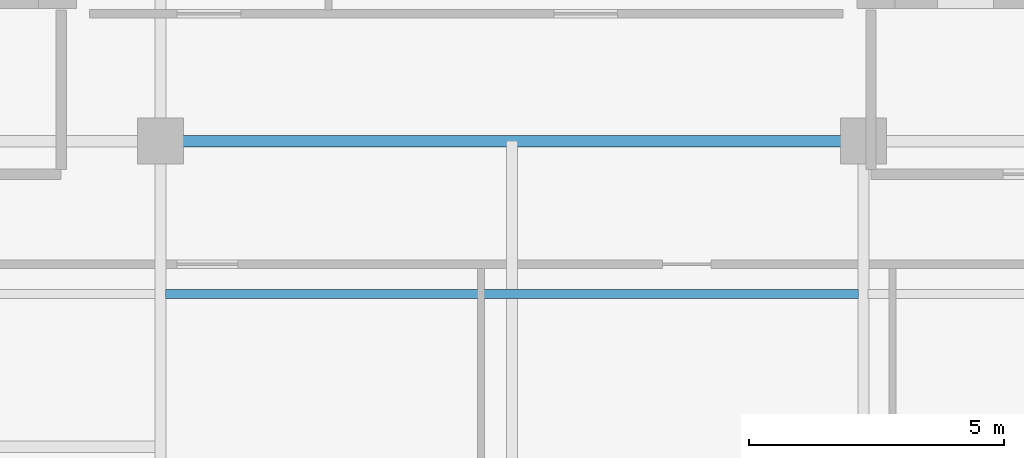
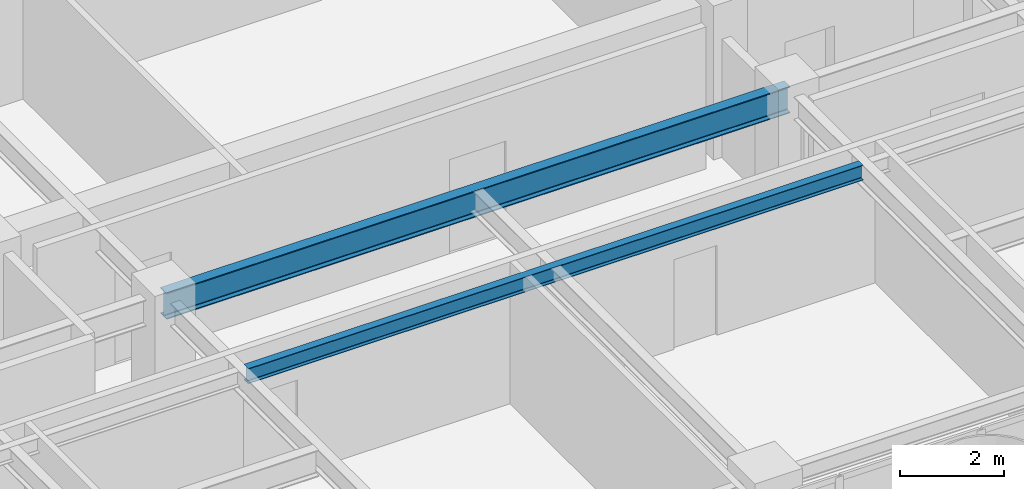
# One storey, part 6 of 22: 2 beams.
"""IFC4 building model written with IfcOpenShell, lengths in metres."""

from ifc_helpers import new_model, si_unit, direction, frame, origin, origin_2d, place, context, subcontext, project, spatial, i_section, extrude, source, transform, mapped, material, material_profile, profile_set, type_object, element, save


model = new_model("IFC4")

# Units and contexts
model_context = context("Model", 3, precision=1e-05, world=origin(), true_north=direction((0.0, 1.0)))
body_context = subcontext(model_context, "Body", "Model", "MODEL_VIEW")
ifc_project = project(units=[si_unit("LENGTHUNIT", "METRE"), si_unit("AREAUNIT", "SQUARE_METRE"), si_unit("VOLUMEUNIT", "CUBIC_METRE"), si_unit("PLANEANGLEUNIT", "RADIAN"), si_unit("MASSUNIT", "GRAM", prefix="KILO")], contexts=[model_context])

# Site, building, storey
site_placement = place(None, origin())
site = spatial("IfcSite", under=ifc_project, at=site_placement, CompositionType="ELEMENT")
building_placement = place(site_placement, origin())
building = spatial("IfcBuilding", under=site, at=building_placement, Name="Khoralis Quay Care Tower", CompositionType="ELEMENT")
storey_placement = place(building_placement, frame((0.0, 0.0, 141.300048828125)))
storey = spatial("IfcBuildingStorey", under=building, at=storey_placement, Name="L37", CompositionType="ELEMENT", Elevation=141.300048828125)

# Beams
ifc_material = material(Name="Steel S355", Category="steel")
ifc_material_profile_1 = material_profile(ifc_material, i_section(OverallWidth=0.22998046875, OverallDepth=0.616943359375, WebThickness=0.01318359375, FlangeThickness=0.022216796875, FilletRadius=0.01806640625, at=origin_2d()), Name="Steel S355")
ifc_profile_set_1 = profile_set([ifc_material_profile_1], Name="Steel S355")
beam_type_1 = type_object("IfcBeamType", Name="BM-W610X140", PredefinedType="BEAM", material=ifc_profile_set_1)
shared_shape_1 = source(origin(), body_context, "Body", "SweptSolid", [
    extrude(i_section(OverallWidth=0.22998046875, OverallDepth=0.616943359375, WebThickness=0.01318359375, FlangeThickness=0.022216796875, FilletRadius=0.01806640625, at=origin_2d()), origin(), (0.0, 0.0, 1.0), 13.7998046875),
])
beam_1_placement = place(storey_placement, frame((17.10009765625, 12.0, 3.011474609375), z_axis=(1.0, 0.0, 0.0), x_axis=(0.0, 1.0, 0.0)))
element("IfcBeam", 1, at=beam_1_placement, inside=storey, type_object=beam_type_1, Name="BM-TGCC-L37-120", PredefinedType="BEAM", context=body_context, shape_type="MappedRepresentation", body=[
    mapped(shared_shape_1, transform((0.0, 0.0, 0.0), scale=1.0)),
])
ifc_material_profile_2 = material_profile(ifc_material, i_section(OverallWidth=0.1708984375, OverallDepth=0.35498046875, WebThickness=0.007080078125, FlangeThickness=0.01171875, FilletRadius=0.012939453125, at=origin_2d()), Name="Steel S355")
ifc_profile_set_2 = profile_set([ifc_material_profile_2], Name="Steel S355")
beam_type_2 = type_object("IfcBeamType", Name="BM-W360X51", PredefinedType="JOIST", material=ifc_profile_set_2)
shared_shape_2 = source(origin(), body_context, "Body", "SweptSolid", [
    extrude(i_section(OverallWidth=0.1708984375, OverallDepth=0.35498046875, WebThickness=0.007080078125, FlangeThickness=0.01171875, FilletRadius=0.012939453125, at=origin_2d()), origin(), (0.0, 0.0, 1.0), 13.61181640625),
])
beam_2_placement = place(storey_placement, frame((17.194091796875, 9.0, 3.142333984375), z_axis=(1.0, 0.0, 0.0), x_axis=(0.0, 1.0, 0.0)))
element("IfcBeam", 2, at=beam_2_placement, inside=storey, type_object=beam_type_2, Name="BM-TJS-L37-27", PredefinedType="JOIST", context=body_context, shape_type="MappedRepresentation", body=[
    mapped(shared_shape_2, transform((0.0, 0.0, 0.0), scale=1.0)),
])

save(model, "model.ifc")
